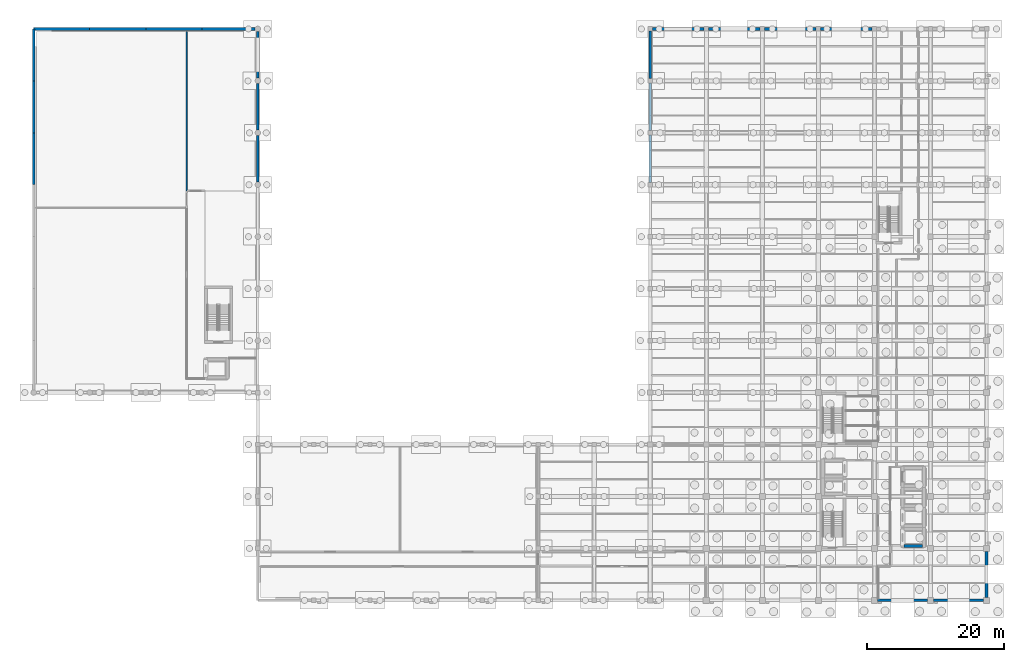
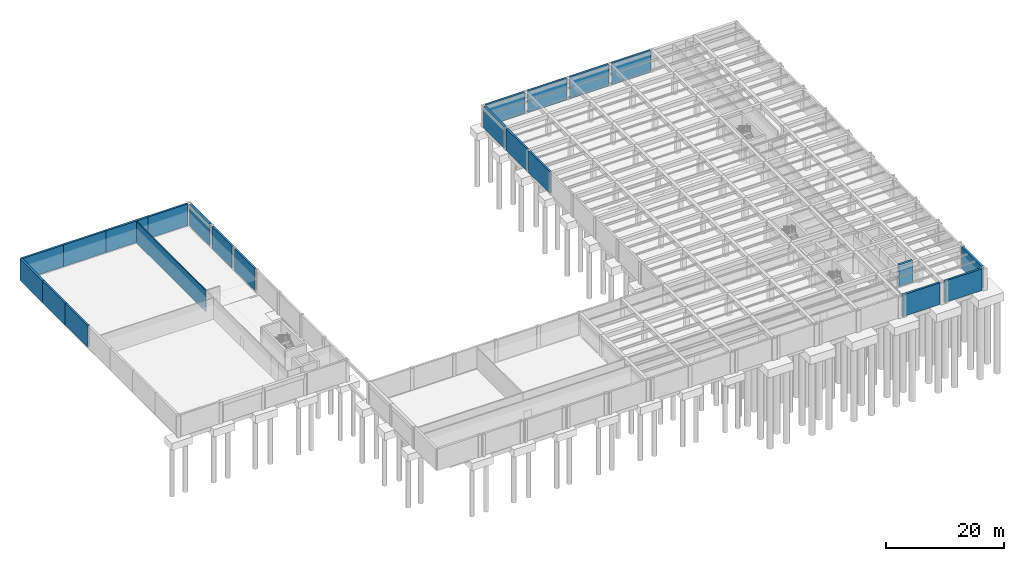
# One storey, part 20 of 29: 22 walls.
"""IFC4 building model written with IfcOpenShell, lengths in metres."""

import ifcopenshell
import ifcopenshell.guid

model = None  # the IFC model being written
_history = None  # IfcOwnerHistory: only IFC2X3 demands one
_inside = {}  # id of a spatial element -> (the spatial element, [elements in it])
_under = {}  # id of a project, library or spatial element -> (it, [spatial elements below it])
_declared = {}  # id of a project -> (the project, [libraries it declares])
_typed = {}  # id of a type object -> (the type object, [elements of that type])
_made_of = {}  # id of a material, layer set ... -> (it, [elements and type objects made of it])


def new_model(schema):
    """Start an empty IFC model of exactly this schema.

    Asked for "IFC4X3", IfcOpenShell would pick the latest addendum, in which some entities
    have other attributes; the version numbers below select the first issue.
    IFC2X3 requires an IfcOwnerHistory on every rooted entity: one is made here for all.
    """
    global model, _history
    if schema == "IFC4X3":
        model = ifcopenshell.file(schema_version=(4, 3, 0, 0))
    else:
        model = ifcopenshell.file(schema=schema)
    _inside.clear()
    _under.clear()
    _declared.clear()
    _typed.clear()
    _made_of.clear()
    _history = None
    if model.schema == "IFC2X3":
        org = make("IfcOrganization", Name="unknown")
        user = make(
            "IfcPersonAndOrganization",
            ThePerson=make("IfcPerson", FamilyName="unknown"),
            TheOrganization=org,
        )
        app = make(
            "IfcApplication",
            ApplicationDeveloper=org,
            Version="unknown",
            ApplicationFullName="unknown",
            ApplicationIdentifier="unknown",
        )
        _history = make(
            "IfcOwnerHistory",
            OwningUser=user,
            OwningApplication=app,
            ChangeAction="ADDED",
            CreationDate=0,
        )
    return model


def make(cls, **values):
    """One entity of the class cls with the attributes given. An attribute that is None is left unset."""
    return model.create_entity(
        cls, **{name: value for name, value in values.items() if value is not None}
    )


def rooted(cls, **values):
    """An entity with a GlobalId (a new one), such as an element, a storey or a relation."""
    return make(cls, GlobalId=ifcopenshell.guid.new(), OwnerHistory=_history, **values)


def si_unit(unit_type, name, prefix=None):
    """IfcSIUnit, for example si_unit("LENGTHUNIT", "METRE", prefix="MILLI")."""
    return make("IfcSIUnit", UnitType=unit_type, Prefix=prefix, Name=name)


def assignment(units):
    """IfcUnitAssignment: the units of a project."""
    return None if units is None else make("IfcUnitAssignment", Units=units)


def point(xyz):
    """IfcCartesianPoint."""
    return None if xyz is None else make("IfcCartesianPoint", Coordinates=xyz)


def direction(xyz):
    """IfcDirection."""
    return None if xyz is None else make("IfcDirection", DirectionRatios=xyz)


def frame(location, z_axis=None, x_axis=None):
    """IfcAxis2Placement3D, a coordinate frame: its origin and axes. An axis left out is left unset."""
    return make(
        "IfcAxis2Placement3D",
        Location=point(location),
        Axis=direction(z_axis),
        RefDirection=direction(x_axis),
    )


def frame_2d(location, x_axis=None):
    """IfcAxis2Placement2D, a coordinate frame in the plane: its origin and x axis."""
    return make(
        "IfcAxis2Placement2D", Location=point(location), RefDirection=direction(x_axis)
    )


def origin():
    """The frame at (0, 0, 0) with its axes left unset."""
    return frame((0.0, 0.0, 0.0))


def place(relative_to, where):
    """IfcLocalPlacement: puts the frame where relative to a parent placement (None: the world)."""
    return make(
        "IfcLocalPlacement", PlacementRelTo=relative_to, RelativePlacement=where
    )


def context(
    kind, dimensions, precision=None, world=None, true_north=None, identifier=None
):
    """IfcGeometricRepresentationContext, for example the 3D "Model" context."""
    return make(
        "IfcGeometricRepresentationContext",
        ContextIdentifier=identifier,
        ContextType=kind,
        CoordinateSpaceDimension=dimensions,
        Precision=precision,
        WorldCoordinateSystem=world,
        TrueNorth=true_north,
    )


def subcontext(parent, identifier, kind, view, scale=None):
    """IfcGeometricRepresentationSubContext, for example "Body" below "Model"."""
    return make(
        "IfcGeometricRepresentationSubContext",
        ContextIdentifier=identifier,
        ContextType=kind,
        ParentContext=parent,
        TargetScale=scale,
        TargetView=view,
    )


def project(units=None, contexts=None):
    """IfcProject with its units and contexts."""
    return rooted(
        "IfcProject",
        Name="project",
        RepresentationContexts=contexts,
        UnitsInContext=assignment(units),
    )


def spatial(cls, under=None, at=None, **own):
    """A site, building, storey or space (cls), placed at a placement, below another one or the project."""
    s = rooted(cls, ObjectPlacement=at, **own)
    if under is not None:
        _under.setdefault(under.id(), (under, []))[1].append(s)
    return s


def profile(cls, at=None, kind="AREA", **sizes):
    """A parametric profile (cls). Its sizes go by their IFC names, for example OverallWidth=200.0."""
    return make(cls, ProfileType=kind, Position=at, **sizes)


def rectangle(**sizes):
    """IfcRectangleProfileDef."""
    return profile("IfcRectangleProfileDef", **sizes)


def extrude(swept, where, along, depth):
    """IfcExtrudedAreaSolid: the profile swept, set in the frame where, extruded along a direction by depth."""
    return make(
        "IfcExtrudedAreaSolid",
        SweptArea=swept,
        Position=where,
        ExtrudedDirection=direction(along),
        Depth=depth,
    )


def shape(context_of_items, identifier, shape_type, items):
    """IfcShapeRepresentation: the items that make up one representation, for example the "Body"."""
    return make(
        "IfcShapeRepresentation",
        ContextOfItems=context_of_items,
        RepresentationIdentifier=identifier,
        RepresentationType=shape_type,
        Items=items,
    )


def material(Name=None, Category=None):
    """IfcMaterial."""
    return make("IfcMaterial", Name=Name, Category=Category)


def layer(
    of_material, thickness, ventilated=None, Name=None, Category=None, Priority=None
):
    """IfcMaterialLayer: one layer of a wall or slab, of a material (None: an air gap)."""
    return make(
        "IfcMaterialLayer",
        Material=of_material,
        LayerThickness=thickness,
        IsVentilated=ventilated,
        Name=Name,
        Category=Category,
        Priority=Priority,
    )


def layer_set(layers, Name=None):
    """IfcMaterialLayerSet."""
    return make("IfcMaterialLayerSet", MaterialLayers=layers, LayerSetName=Name)


def made_of(thing, what):
    """Note that an element or type object is made of a material, layer set ...; save() writes the relation."""
    if what is not None:
        _made_of.setdefault(what.id(), (what, []))[1].append(thing)
    return thing


def type_object(cls, material=None, **own):
    """A type object (cls), such as IfcWallType, which elements share."""
    return made_of(rooted(cls, **own), material)


def element(
    cls,
    number,
    at=None,
    inside=None,
    cuts=None,
    type_object=None,
    material=None,
    context=None,
    identifier="Body",
    shape_type=None,
    held_by="IfcProductDefinitionShape",
    body=None,
    shapes=None,
    **own,
):
    """One element of the class cls, such as IfcWall. Its Tag is "e" and its number.

    at: its placement. inside: the storey or other place that contains it. cuts: it is an
    opening in that element (IfcRelVoidsElement). A single representation is given by context,
    identifier, shape_type and body (its items); several are given by shapes. held_by: the class
    of the entity that holds the representations. save() writes the other relations.
    """
    e = rooted(cls, Tag="e%d" % number, ObjectPlacement=at, **own)
    if body is not None:
        shapes = [shape(context, identifier, shape_type, body)]
    if shapes is not None:
        e.Representation = make(held_by, Representations=shapes)
    if inside is not None:
        _inside.setdefault(inside.id(), (inside, []))[1].append(e)
    if cuts is not None:
        rooted(
            "IfcRelVoidsElement", RelatingBuildingElement=cuts, RelatedOpeningElement=e
        )
    if type_object is not None:
        _typed.setdefault(type_object.id(), (type_object, []))[1].append(e)
    return made_of(e, material)


def aggregate(whole, parts):
    """IfcRelAggregates: a whole, such as a stair, and the parts it consists of."""
    return rooted("IfcRelAggregates", RelatingObject=whole, RelatedObjects=parts)


def save(model, path):
    """Write the relations noted so far, then the file.

    IfcRelAggregates (storeys below a building ...), IfcRelContainedInSpatialStructure (elements
    in a storey), IfcRelDefinesByType, IfcRelAssociatesMaterial and IfcRelDeclares: one each for
    every whole, place, type object, material and project.
    """
    for whole, parts in _under.values():
        aggregate(whole, parts)
    for where, things in _inside.values():
        rooted(
            "IfcRelContainedInSpatialStructure",
            RelatedElements=things,
            RelatingStructure=where,
        )
    for kind, things in _typed.values():
        rooted("IfcRelDefinesByType", RelatedObjects=things, RelatingType=kind)
    for what, things in _made_of.values():
        rooted("IfcRelAssociatesMaterial", RelatedObjects=things, RelatingMaterial=what)
    for by, libraries in _declared.values():
        rooted("IfcRelDeclares", RelatingContext=by, RelatedDefinitions=libraries)
    model.write(path)


model = new_model("IFC4")

# Units and contexts
model_context = context("Model", 3, precision=1e-05, world=origin(), true_north=direction((0.0, 1.0)))
body_context = subcontext(model_context, "Body", "Model", "MODEL_VIEW")
ifc_project = project(units=[si_unit("LENGTHUNIT", "METRE"), si_unit("AREAUNIT", "SQUARE_METRE"), si_unit("VOLUMEUNIT", "CUBIC_METRE"), si_unit("PLANEANGLEUNIT", "RADIAN"), si_unit("MASSUNIT", "GRAM", prefix="KILO")], contexts=[model_context])

# Site, building, storey
site_placement = place(None, origin())
site = spatial("IfcSite", under=ifc_project, at=site_placement, CompositionType="ELEMENT")
building_placement = place(site_placement, origin())
building = spatial("IfcBuilding", under=site, at=building_placement, Name="Qandaris Square Conservatory and Botanical Centre", CompositionType="ELEMENT")
storey_placement = place(building_placement, frame((0.0, 0.0, -4.800048828125)))
storey = spatial("IfcBuildingStorey", under=building, at=storey_placement, Name="B1", CompositionType="ELEMENT", Elevation=-4.800048828125)

# Walls
ifc_material_1 = material(Name="Concrete C50/60", Category="concrete")
ifc_layer_1 = layer(ifc_material_1, 0.39990234375)
ifc_layer_set_1 = layer_set([ifc_layer_1], Name="Concrete C50/60")
wall_type_1 = type_object("IfcWallType", Name="Basement Waterproof RC Retaining Wall 400mm", PredefinedType="SOLIDWALL", material=ifc_layer_set_1)
for number, where, z_axis, x_axis, name in (
    (1, (114.60009765625, 77.72509765625, 0.0), (0.0, 0.0, 1.0), (0.0, 1.0, 0.0), "Basement Retaining Wall 016"),
    (2, (114.60009765625, 85.324951171875, 0.0), (0.0, 0.0, 1.0), (0.0, 1.0, 0.0), "Basement Retaining Wall 017"),
    (3, (114.60009765625, 92.925048828125, 0.0), (0.0, 0.0, 1.0), (0.0, 1.0, 0.0), "Basement Retaining Wall 018"),
):
    element("IfcWall", number, at=place(storey_placement, frame(where, z_axis=z_axis, x_axis=x_axis)), inside=storey, type_object=wall_type_1, Name=name, PredefinedType="SOLIDWALL", context=body_context, shape_type="SweptSolid", body=[
        extrude(rectangle(XDim=6.949951171875, YDim=0.39990234375, at=frame_2d((3.47509765625, 0.0))), origin(), (0.0, 0.0, 1.0), 4.4599609375),
    ])
for number, where, z_axis, x_axis, name in (
    (4, (114.925048828125, 100.199951171875, 0.0), (0.0, 0.0, 1.0), (1.0, 0.0, 0.0), "Basement Retaining Wall 019"),
    (5, (123.125, 100.199951171875, 0.0), (0.0, 0.0, 1.0), (1.0, 0.0, 0.0), "Basement Retaining Wall 020"),
    (6, (131.324951171875, 100.199951171875, 0.0), (0.0, 0.0, 1.0), (1.0, 0.0, 0.0), "Basement Retaining Wall 021"),
    (7, (139.52490234375, 100.199951171875, 0.0), (0.0, 0.0, 1.0), (1.0, 0.0, 0.0), "Basement Retaining Wall 022"),
):
    element("IfcWall", number, at=place(storey_placement, frame(where, z_axis=z_axis, x_axis=x_axis)), inside=storey, type_object=wall_type_1, Name=name, PredefinedType="SOLIDWALL", context=body_context, shape_type="SweptSolid", body=[
        extrude(rectangle(XDim=7.550048828125, YDim=0.39990234375, at=frame_2d((3.77490234375, 0.0))), origin(), (0.0, 0.0, 1.0), 4.4599609375),
    ])
wall_1_placement = place(storey_placement, frame((163.800048828125, 17.050048828125, 0.0), z_axis=(0.0, 0.0, 1.0), x_axis=(0.0, 1.0, 0.0)))
element("IfcWall", 8, at=wall_1_placement, inside=storey, type_object=wall_type_1, Name="Basement Retaining Wall 025", PredefinedType="SOLIDWALL", context=body_context, shape_type="SweptSolid", body=[
    extrude(rectangle(XDim=6.699951171875, YDim=0.39990234375, at=frame_2d((3.35009765625, 0.0))), origin(), (0.0, 0.0, 1.0), 4.4599609375),
])
wall_2_placement = place(storey_placement, frame((147.85009765625, 16.60009765625, 0.0), z_axis=(0.0, 0.0, 1.0), x_axis=(1.0, 0.0, 0.0)))
element("IfcWall", 9, at=wall_2_placement, inside=storey, type_object=wall_type_1, Name="Basement Retaining Wall 042", PredefinedType="SOLIDWALL", context=body_context, shape_type="SweptSolid", body=[
    extrude(rectangle(XDim=7.2998046875, YDim=0.39990234375, at=frame_2d((3.64990234375, 0.0))), origin(), (0.0, 0.0, 1.0), 4.4599609375),
])
wall_3_placement = place(storey_placement, frame((156.050048828125, 16.60009765625, 0.0), z_axis=(0.0, 0.0, 1.0), x_axis=(1.0, 0.0, 0.0)))
element("IfcWall", 10, at=wall_3_placement, inside=storey, type_object=wall_type_1, Name="Basement Retaining Wall 043", PredefinedType="SOLIDWALL", context=body_context, shape_type="SweptSolid", body=[
    extrude(rectangle(XDim=7.300048828125, YDim=0.39990234375, at=frame_2d((3.64990234375, 0.0))), origin(), (0.0, 0.0, 1.0), 4.4599609375),
])
wall_4_placement = place(storey_placement, frame((24.39990234375, 100.199951171875, 0.0), z_axis=(0.0, 0.0, 1.0), x_axis=(1.0, 0.0, 0.0)))
element("IfcWall", 11, at=wall_4_placement, inside=storey, type_object=wall_type_1, Name="Basement Retaining Wall 049", PredefinedType="SOLIDWALL", context=body_context, shape_type="SweptSolid", body=[
    extrude(rectangle(XDim=8.2001953125, YDim=0.39990234375, at=frame_2d((4.10009765625, 0.0))), origin(), (0.0, 0.0, 1.0), 4.4599609375),
])
for number, where, z_axis, x_axis, name in (
    (12, (32.60009765625, 100.199951171875, 0.0), (0.0, 0.0, 1.0), (1.0, 0.0, 0.0), "Basement Retaining Wall 050"),
    (13, (40.800048828125, 100.199951171875, 0.0), (0.0, 0.0, 1.0), (1.0, 0.0, 0.0), "Basement Retaining Wall 051"),
):
    element("IfcWall", number, at=place(storey_placement, frame(where, z_axis=z_axis, x_axis=x_axis)), inside=storey, type_object=wall_type_1, Name=name, PredefinedType="SOLIDWALL", context=body_context, shape_type="SweptSolid", body=[
        extrude(rectangle(XDim=8.199951171875, YDim=0.39990234375, at=frame_2d((4.10009765625, 0.0))), origin(), (0.0, 0.0, 1.0), 4.4599609375),
    ])
wall_5_placement = place(storey_placement, frame((49.0, 100.199951171875, 0.0), z_axis=(0.0, 0.0, 1.0), x_axis=(1.0, 0.0, 0.0)))
element("IfcWall", 14, at=wall_5_placement, inside=storey, type_object=wall_type_1, Name="Basement Retaining Wall 052", PredefinedType="SOLIDWALL", context=body_context, shape_type="SweptSolid", body=[
    extrude(rectangle(XDim=7.800048828125, YDim=0.39990234375, at=frame_2d((3.89990234375, 0.0))), origin(), (0.0, 0.0, 1.0), 4.4599609375),
])
for number, where, z_axis, x_axis, name in (
    (15, (57.199951171875, 77.800048828125, 0.0), (0.0, 0.0, 1.0), (0.0, 1.0, 0.0), "Basement Retaining Wall 057"),
    (16, (57.199951171875, 85.39990234375, 0.0), (0.0, 0.0, 1.0), (0.0, 1.0, 0.0), "Basement Retaining Wall 058"),
    (17, (57.199951171875, 93.0, 0.0), (0.0, 0.0, 1.0), (0.0, 1.0, 0.0), "Basement Retaining Wall 059"),
):
    element("IfcWall", number, at=place(storey_placement, frame(where, z_axis=z_axis, x_axis=x_axis)), inside=storey, type_object=wall_type_1, Name=name, PredefinedType="SOLIDWALL", context=body_context, shape_type="SweptSolid", body=[
        extrude(rectangle(XDim=6.800048828125, YDim=0.39990234375, at=frame_2d((3.39990234375, 0.0))), origin(), (0.0, 0.0, 1.0), 4.4599609375),
    ])
for number, where, z_axis, x_axis, name in (
    (18, (24.39990234375, 77.39990234375, 0.0), (0.0, 0.0, 1.0), (0.0, 1.0, 0.0), "Basement Retaining Wall 068"),
    (19, (24.39990234375, 85.0, 0.0), (0.0, 0.0, 1.0), (0.0, 1.0, 0.0), "Basement Retaining Wall 069"),
):
    element("IfcWall", number, at=place(storey_placement, frame(where, z_axis=z_axis, x_axis=x_axis)), inside=storey, type_object=wall_type_1, Name=name, PredefinedType="SOLIDWALL", context=body_context, shape_type="SweptSolid", body=[
        extrude(rectangle(XDim=7.60009765625, YDim=0.39990234375, at=frame_2d((3.800048828125, 0.0))), origin(), (0.0, 0.0, 1.0), 4.4599609375),
    ])
wall_6_placement = place(storey_placement, frame((24.39990234375, 92.60009765625, 0.0), z_axis=(0.0, 0.0, 1.0), x_axis=(0.0, 1.0, 0.0)))
element("IfcWall", 20, at=wall_6_placement, inside=storey, type_object=wall_type_1, Name="Basement Retaining Wall 070", PredefinedType="SOLIDWALL", context=body_context, shape_type="SweptSolid", body=[
    extrude(rectangle(XDim=7.599853515625, YDim=0.39990234375, at=frame_2d((3.7998046875, 0.0))), origin(), (0.0, 0.0, 1.0), 4.4599609375),
])
ifc_material_2 = material(Name="Concrete C40/50", Category="concrete")
ifc_layer_2 = layer(ifc_material_2, 0.199951171875)
ifc_layer_set_2 = layer_set([ifc_layer_2], Name="Concrete C40/50")
wall_type_2 = type_object("IfcWallType", Name="Herbarium & Plant Compartment Wall 200mm", PredefinedType="PARTITIONING", material=ifc_layer_set_2)
wall_7_placement = place(storey_placement, frame((46.800048828125, 99.800048828125, 0.0), z_axis=(0.0, 0.0, 1.0), x_axis=(0.0, -1.0, 0.0)))
element("IfcWall", 21, at=wall_7_placement, inside=storey, type_object=wall_type_2, Name="Interior Partition IW-B1-0037", PredefinedType="PARTITIONING", context=body_context, shape_type="SweptSolid", body=[
    extrude(rectangle(XDim=23.300048828125, YDim=0.199951171875, at=frame_2d((11.64990234375, 0.0))), origin(), (0.0, 0.0, 1.0), 4.405029296875),
])
ifc_layer_3 = layer(ifc_material_1, 0.449951171875)
ifc_layer_set_3 = layer_set([ifc_layer_3], Name="Concrete C50/60")
wall_type_3 = type_object("IfcWallType", Name="RC Coupled Core Shear Wall 450mm", PredefinedType="SHEAR", material=ifc_layer_set_3)
wall_8_placement = place(storey_placement, frame((151.75, 24.574951171875, 0.0), z_axis=(0.0, 0.0, 1.0), x_axis=(1.0, 0.0, 0.0)))
element("IfcWall", 22, at=wall_8_placement, inside=storey, type_object=wall_type_3, Name="Lift PL1 Shaft Wall South (B1)", PredefinedType="SHEAR", context=body_context, shape_type="SweptSolid", body=[
    extrude(rectangle(XDim=2.699951171875, YDim=0.449951171875, at=frame_2d((1.35009765625, 0.0))), origin(), (0.0, 0.0, 1.0), 4.4599609375),
])

save(model, "model.ifc")
